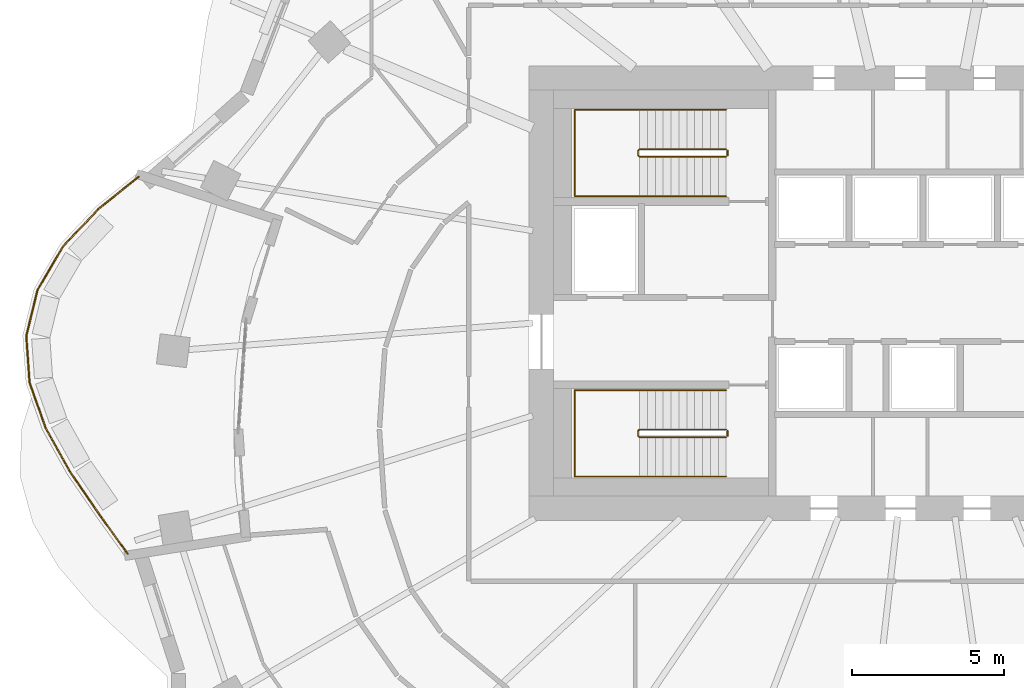
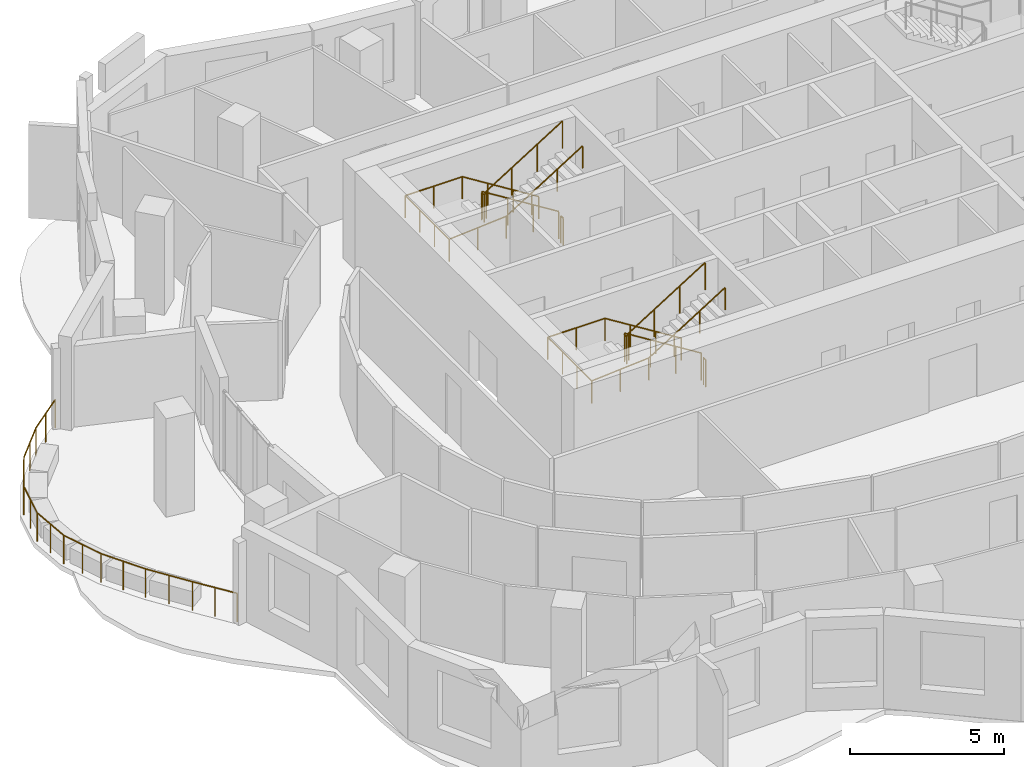
# One storey, part 12 of 13: 7 railings.
"""IFC4 building model written with IfcOpenShell, lengths in metres."""

from ifc_helpers import new_model, si_unit, direction, frame, origin, origin_2d, place, context, subcontext, project, spatial, circle, extrude, material, type_object, element, save


model = new_model("IFC4")

# Units and contexts
model_context = context("Model", 3, precision=1e-05, world=origin(), true_north=direction((0.0, 1.0)))
body_context = subcontext(model_context, "Body", "Model", "MODEL_VIEW")
ifc_project = project(units=[si_unit("LENGTHUNIT", "METRE"), si_unit("AREAUNIT", "SQUARE_METRE"), si_unit("VOLUMEUNIT", "CUBIC_METRE"), si_unit("PLANEANGLEUNIT", "RADIAN"), si_unit("MASSUNIT", "GRAM", prefix="KILO")], contexts=[model_context])

# Site, building, storey
site_placement = place(None, origin())
site = spatial("IfcSite", under=ifc_project, at=site_placement, CompositionType="ELEMENT")
building_placement = place(site_placement, origin())
building = spatial("IfcBuilding", under=site, at=building_placement, Name="Rubra Terraces Tower", CompositionType="ELEMENT")
storey_placement = place(building_placement, frame((0.0, 0.0, 209.10009765625)))
storey = spatial("IfcBuildingStorey", under=building, at=storey_placement, Name="L51", CompositionType="ELEMENT", Elevation=209.10009765625)

# Railings
ifc_material_1 = material(Name="Stainless steel", Category="steel")
railing_type_1 = type_object("IfcRailingType", Name="Core stair guard 1100", PredefinedType="GUARDRAIL", material=ifc_material_1)
railing_1_placement = place(storey_placement, frame((-6.5, 0.0, 0.162353515625)))
element("IfcRailing", 1, at=railing_1_placement, inside=storey, type_object=railing_type_1, Name="L51 stair S1 guard 1", PredefinedType="GUARDRAIL", context=body_context, shape_type="SweptSolid", body=[
    extrude(circle(Radius=0.02392578125, at=origin_2d()), frame((0.0, 0.0, 1.076171875), z_axis=(-0.847994237388, 0.0, 0.530005446535), x_axis=(0.0, -1.0, 0.0)), (0.0, 0.0, 1.0), 3.372802734375),
    extrude(circle(Radius=0.02392578125, at=origin_2d()), frame((-2.860107421875, 0.0, 2.86376953125), z_axis=(-0.705375805398, -0.708833529934, 0.0), x_axis=(0.708833529934, -0.705375805398, 0.0)), (0.0, 0.0, 1.0), 0.070556640625),
    extrude(circle(Radius=0.02392578125, at=origin_2d()), frame((-2.909912109375, -0.050048828125, 2.86376953125), z_axis=(0.0, -1.0, 0.0), x_axis=(1.0, 0.0, 0.0)), (0.0, 0.0, 1.0), 0.14990234375),
    extrude(circle(Radius=0.02392578125, at=origin_2d()), frame((-2.909912109375, -0.199951171875, 2.86376953125), z_axis=(0.281314826061, -0.282693820306, 0.917031173188), x_axis=(0.708833529934, 0.705375805398, 0.0)), (0.0, 0.0, 1.0), 0.177001953125),
    extrude(circle(Radius=0.02392578125, at=origin_2d()), frame((-2.860107421875, -0.25, 3.02587890625), z_axis=(0.847994237388, 0.0, 0.530005446535), x_axis=(0.0, 1.0, 0.0)), (0.0, 0.0, 1.0), 3.372802734375),
    extrude(circle(Radius=0.02099609375, at=origin_2d()), origin(), (0.0, 0.0, 1.0), 1.052001953125),
    extrude(circle(Radius=0.02099609375, at=origin_2d()), frame((-0.953369140625, 0.0, 0.595947265625)), (0.0, 0.0, 1.0), 1.052001953125),
    extrude(circle(Radius=0.02099609375, at=origin_2d()), frame((-1.90673828125, 0.0, 1.191650390625)), (0.0, 0.0, 1.0), 1.052001953125),
    extrude(circle(Radius=0.02099609375, at=origin_2d()), frame((-2.860107421875, 0.0, 1.78759765625)), (0.0, 0.0, 1.0), 1.052001953125),
    extrude(circle(Radius=0.02099609375, at=origin_2d()), frame((-2.909912109375, -0.050048828125, 1.78759765625)), (0.0, 0.0, 1.0), 1.052001953125),
    extrude(circle(Radius=0.02099609375, at=origin_2d()), frame((-2.909912109375, -0.199951171875, 1.78759765625)), (0.0, 0.0, 1.0), 1.052001953125),
    extrude(circle(Radius=0.02099609375, at=origin_2d()), frame((-2.860107421875, -0.25, 1.949951171875)), (0.0, 0.0, 1.0), 1.052001953125),
    extrude(circle(Radius=0.02099609375, at=origin_2d()), frame((-1.90673828125, -0.25, 2.5458984375)), (0.0, 0.0, 1.0), 1.052001953125),
    extrude(circle(Radius=0.02099609375, at=origin_2d()), frame((-0.953369140625, -0.25, 3.1416015625)), (0.0, 0.0, 1.0), 1.052001953125),
    extrude(circle(Radius=0.02099609375, at=origin_2d()), frame((0.0, -0.25, 3.737548828125)), (0.0, 0.0, 1.0), 1.052001953125),
])
railing_2_placement = place(storey_placement, frame((-6.449951171875, -0.050048828125, 0.0)))
element("IfcRailing", 2, at=railing_2_placement, inside=storey, type_object=railing_type_1, Name="L51 stair S1 guard 2", PredefinedType="GUARDRAIL", context=body_context, shape_type="SweptSolid", body=[
    extrude(circle(Radius=0.02392578125, at=origin_2d()), frame((0.0, 0.0, 1.076171875), z_axis=(0.0, -1.0, 0.0), x_axis=(1.0, 0.0, 0.0)), (0.0, 0.0, 1.0), 0.14990234375),
    extrude(circle(Radius=0.02099609375, at=origin_2d()), origin(), (0.0, 0.0, 1.0), 1.052001953125),
    extrude(circle(Radius=0.02099609375, at=origin_2d()), frame((0.0, -0.14990234375, 0.0)), (0.0, 0.0, 1.0), 1.052001953125),
])
railing_3_placement = place(storey_placement, frame((-6.5, 9.25, 0.162353515625)))
element("IfcRailing", 3, at=railing_3_placement, inside=storey, type_object=railing_type_1, Name="L51 stair S2 guard 1", PredefinedType="GUARDRAIL", context=body_context, shape_type="SweptSolid", body=[
    extrude(circle(Radius=0.02392578125, at=origin_2d()), frame((0.0, 0.0, 1.076171875), z_axis=(-0.847994237388, 0.0, 0.530005446535), x_axis=(0.0, -1.0, 0.0)), (0.0, 0.0, 1.0), 3.372802734375),
    extrude(circle(Radius=0.02392578125, at=origin_2d()), frame((-2.860107421875, 0.0, 2.86376953125), z_axis=(-0.705375805398, -0.708833529934, 0.0), x_axis=(0.708833529934, -0.705375805398, 0.0)), (0.0, 0.0, 1.0), 0.070556640625),
    extrude(circle(Radius=0.02392578125, at=origin_2d()), frame((-2.909912109375, -0.050048828125, 2.86376953125), z_axis=(0.0, -1.0, 0.0), x_axis=(1.0, 0.0, 0.0)), (0.0, 0.0, 1.0), 0.14990234375),
    extrude(circle(Radius=0.02392578125, at=origin_2d()), frame((-2.909912109375, -0.199951171875, 2.86376953125), z_axis=(0.281314826061, -0.282693820306, 0.917031173188), x_axis=(0.708833529934, 0.705375805398, 0.0)), (0.0, 0.0, 1.0), 0.177001953125),
    extrude(circle(Radius=0.02392578125, at=origin_2d()), frame((-2.860107421875, -0.25, 3.02587890625), z_axis=(0.847994237388, 0.0, 0.530005446535), x_axis=(0.0, 1.0, 0.0)), (0.0, 0.0, 1.0), 3.372802734375),
    extrude(circle(Radius=0.02099609375, at=origin_2d()), origin(), (0.0, 0.0, 1.0), 1.052001953125),
    extrude(circle(Radius=0.02099609375, at=origin_2d()), frame((-0.953369140625, 0.0, 0.595947265625)), (0.0, 0.0, 1.0), 1.052001953125),
    extrude(circle(Radius=0.02099609375, at=origin_2d()), frame((-1.90673828125, 0.0, 1.191650390625)), (0.0, 0.0, 1.0), 1.052001953125),
    extrude(circle(Radius=0.02099609375, at=origin_2d()), frame((-2.860107421875, 0.0, 1.78759765625)), (0.0, 0.0, 1.0), 1.052001953125),
    extrude(circle(Radius=0.02099609375, at=origin_2d()), frame((-2.909912109375, -0.050048828125, 1.78759765625)), (0.0, 0.0, 1.0), 1.052001953125),
    extrude(circle(Radius=0.02099609375, at=origin_2d()), frame((-2.909912109375, -0.199951171875, 1.78759765625)), (0.0, 0.0, 1.0), 1.052001953125),
    extrude(circle(Radius=0.02099609375, at=origin_2d()), frame((-2.860107421875, -0.25, 1.949951171875)), (0.0, 0.0, 1.0), 1.052001953125),
    extrude(circle(Radius=0.02099609375, at=origin_2d()), frame((-1.90673828125, -0.25, 2.5458984375)), (0.0, 0.0, 1.0), 1.052001953125),
    extrude(circle(Radius=0.02099609375, at=origin_2d()), frame((-0.953369140625, -0.25, 3.1416015625)), (0.0, 0.0, 1.0), 1.052001953125),
    extrude(circle(Radius=0.02099609375, at=origin_2d()), frame((0.0, -0.25, 3.737548828125)), (0.0, 0.0, 1.0), 1.052001953125),
])
railing_4_placement = place(storey_placement, frame((-6.449951171875, 9.199951171875, 0.0)))
element("IfcRailing", 4, at=railing_4_placement, inside=storey, type_object=railing_type_1, Name="L51 stair S2 guard 2", PredefinedType="GUARDRAIL", context=body_context, shape_type="SweptSolid", body=[
    extrude(circle(Radius=0.02392578125, at=origin_2d()), frame((0.0, 0.0, 1.076171875), z_axis=(0.0, -1.0, 0.0), x_axis=(1.0, 0.0, 0.0)), (0.0, 0.0, 1.0), 0.14990234375),
    extrude(circle(Radius=0.02099609375, at=origin_2d()), origin(), (0.0, 0.0, 1.0), 1.052001953125),
    extrude(circle(Radius=0.02099609375, at=origin_2d()), frame((0.0, -0.14990234375, 0.0)), (0.0, 0.0, 1.0), 1.052001953125),
])
railing_type_2 = type_object("IfcRailingType", Name="Core stair handrail 900", PredefinedType="HANDRAIL", material=ifc_material_1)
railing_5_placement = place(storey_placement, frame((-6.5, 1.300048828125, 0.162353515625)))
element("IfcRailing", 5, at=railing_5_placement, inside=storey, type_object=railing_type_2, Name="L51 stair S1 handrail 1", PredefinedType="HANDRAIL", context=body_context, shape_type="SweptSolid", body=[
    extrude(circle(Radius=0.02392578125, at=origin_2d()), frame((0.0, 0.0, 0.8759765625), z_axis=(-0.847994237388, 0.0, 0.530005446535), x_axis=(0.0, -1.0, 0.0)), (0.0, 0.0, 1.0), 3.372802734375),
    extrude(circle(Radius=0.02392578125, at=origin_2d()), frame((-2.860107421875, 0.0, 2.66357421875), z_axis=(-1.0, 0.0, 0.0), x_axis=(0.0, -1.0, 0.0)), (0.0, 0.0, 1.0), 2.139892578125),
    extrude(circle(Radius=0.02392578125, at=origin_2d()), frame((-5.0, 0.0, 2.66357421875), z_axis=(0.0, -1.0, 0.0), x_axis=(1.0, 0.0, 0.0)), (0.0, 0.0, 1.0), 2.85009765625),
    extrude(circle(Radius=0.02392578125, at=origin_2d()), frame((-5.0, -2.85009765625, 2.66357421875), z_axis=(0.9971342424, 0.0, 0.075652512401), x_axis=(0.0, 1.0, 0.0)), (0.0, 0.0, 1.0), 2.14599609375),
    extrude(circle(Radius=0.02392578125, at=origin_2d()), frame((-2.860107421875, -2.85009765625, 2.82568359375), z_axis=(0.847994237388, 0.0, 0.530005446535), x_axis=(0.0, 1.0, 0.0)), (0.0, 0.0, 1.0), 3.372802734375),
    extrude(circle(Radius=0.02099609375, at=origin_2d()), origin(), (0.0, 0.0, 1.0), 0.851806640625),
    extrude(circle(Radius=0.02099609375, at=origin_2d()), frame((-0.953369140625, 0.0, 0.595947265625)), (0.0, 0.0, 1.0), 0.851806640625),
    extrude(circle(Radius=0.02099609375, at=origin_2d()), frame((-1.90673828125, 0.0, 1.191650390625)), (0.0, 0.0, 1.0), 0.851806640625),
    extrude(circle(Radius=0.02099609375, at=origin_2d()), frame((-2.860107421875, 0.0, 1.78759765625)), (0.0, 0.0, 1.0), 0.851806640625),
    extrude(circle(Radius=0.02099609375, at=origin_2d()), frame((-3.93017578125, 0.0, 1.78759765625)), (0.0, 0.0, 1.0), 0.851806640625),
    extrude(circle(Radius=0.02099609375, at=origin_2d()), frame((-5.0, 0.0, 1.78759765625)), (0.0, 0.0, 1.0), 0.851806640625),
    extrude(circle(Radius=0.02099609375, at=origin_2d()), frame((-5.0, -0.949951171875, 1.78759765625)), (0.0, 0.0, 1.0), 0.851806640625),
    extrude(circle(Radius=0.02099609375, at=origin_2d()), frame((-5.0, -1.900146484375, 1.78759765625)), (0.0, 0.0, 1.0), 0.851806640625),
    extrude(circle(Radius=0.02099609375, at=origin_2d()), frame((-5.0, -2.85009765625, 1.78759765625)), (0.0, 0.0, 1.0), 0.851806640625),
    extrude(circle(Radius=0.02099609375, at=origin_2d()), frame((-3.93017578125, -2.85009765625, 1.86865234375)), (0.0, 0.0, 1.0), 0.851806640625),
    extrude(circle(Radius=0.02099609375, at=origin_2d()), frame((-2.860107421875, -2.85009765625, 1.949951171875)), (0.0, 0.0, 1.0), 0.851806640625),
    extrude(circle(Radius=0.02099609375, at=origin_2d()), frame((-1.90673828125, -2.85009765625, 2.5458984375)), (0.0, 0.0, 1.0), 0.851806640625),
    extrude(circle(Radius=0.02099609375, at=origin_2d()), frame((-0.953369140625, -2.85009765625, 3.1416015625)), (0.0, 0.0, 1.0), 0.851806640625),
    extrude(circle(Radius=0.02099609375, at=origin_2d()), frame((0.0, -2.85009765625, 3.737548828125)), (0.0, 0.0, 1.0), 0.851806640625),
])
railing_6_placement = place(storey_placement, frame((-6.5, 10.550048828125, 0.162353515625)))
element("IfcRailing", 6, at=railing_6_placement, inside=storey, type_object=railing_type_2, Name="L51 stair S2 handrail 1", PredefinedType="HANDRAIL", context=body_context, shape_type="SweptSolid", body=[
    extrude(circle(Radius=0.02392578125, at=origin_2d()), frame((0.0, 0.0, 0.8759765625), z_axis=(-0.847994237388, 0.0, 0.530005446535), x_axis=(0.0, -1.0, 0.0)), (0.0, 0.0, 1.0), 3.372802734375),
    extrude(circle(Radius=0.02392578125, at=origin_2d()), frame((-2.860107421875, 0.0, 2.66357421875), z_axis=(-1.0, 0.0, 0.0), x_axis=(0.0, -1.0, 0.0)), (0.0, 0.0, 1.0), 2.139892578125),
    extrude(circle(Radius=0.02392578125, at=origin_2d()), frame((-5.0, 0.0, 2.66357421875), z_axis=(0.0, -1.0, 0.0), x_axis=(1.0, 0.0, 0.0)), (0.0, 0.0, 1.0), 2.85009765625),
    extrude(circle(Radius=0.02392578125, at=origin_2d()), frame((-5.0, -2.85009765625, 2.66357421875), z_axis=(0.9971342424, 0.0, 0.075652512401), x_axis=(0.0, 1.0, 0.0)), (0.0, 0.0, 1.0), 2.14599609375),
    extrude(circle(Radius=0.02392578125, at=origin_2d()), frame((-2.860107421875, -2.85009765625, 2.82568359375), z_axis=(0.847994237388, 0.0, 0.530005446535), x_axis=(0.0, 1.0, 0.0)), (0.0, 0.0, 1.0), 3.372802734375),
    extrude(circle(Radius=0.02099609375, at=origin_2d()), origin(), (0.0, 0.0, 1.0), 0.851806640625),
    extrude(circle(Radius=0.02099609375, at=origin_2d()), frame((-0.953369140625, 0.0, 0.595947265625)), (0.0, 0.0, 1.0), 0.851806640625),
    extrude(circle(Radius=0.02099609375, at=origin_2d()), frame((-1.90673828125, 0.0, 1.191650390625)), (0.0, 0.0, 1.0), 0.851806640625),
    extrude(circle(Radius=0.02099609375, at=origin_2d()), frame((-2.860107421875, 0.0, 1.78759765625)), (0.0, 0.0, 1.0), 0.851806640625),
    extrude(circle(Radius=0.02099609375, at=origin_2d()), frame((-3.93017578125, 0.0, 1.78759765625)), (0.0, 0.0, 1.0), 0.851806640625),
    extrude(circle(Radius=0.02099609375, at=origin_2d()), frame((-5.0, 0.0, 1.78759765625)), (0.0, 0.0, 1.0), 0.851806640625),
    extrude(circle(Radius=0.02099609375, at=origin_2d()), frame((-5.0, -0.949951171875, 1.78759765625)), (0.0, 0.0, 1.0), 0.851806640625),
    extrude(circle(Radius=0.02099609375, at=origin_2d()), frame((-5.0, -1.900146484375, 1.78759765625)), (0.0, 0.0, 1.0), 0.851806640625),
    extrude(circle(Radius=0.02099609375, at=origin_2d()), frame((-5.0, -2.85009765625, 1.78759765625)), (0.0, 0.0, 1.0), 0.851806640625),
    extrude(circle(Radius=0.02099609375, at=origin_2d()), frame((-3.93017578125, -2.85009765625, 1.86865234375)), (0.0, 0.0, 1.0), 0.851806640625),
    extrude(circle(Radius=0.02099609375, at=origin_2d()), frame((-2.860107421875, -2.85009765625, 1.949951171875)), (0.0, 0.0, 1.0), 0.851806640625),
    extrude(circle(Radius=0.02099609375, at=origin_2d()), frame((-1.90673828125, -2.85009765625, 2.5458984375)), (0.0, 0.0, 1.0), 0.851806640625),
    extrude(circle(Radius=0.02099609375, at=origin_2d()), frame((-0.953369140625, -2.85009765625, 3.1416015625)), (0.0, 0.0, 1.0), 0.851806640625),
    extrude(circle(Radius=0.02099609375, at=origin_2d()), frame((0.0, -2.85009765625, 3.737548828125)), (0.0, 0.0, 1.0), 0.851806640625),
])
ifc_material_2 = material(Name="Steel, powder-coated dark grey", Category="steel")
railing_type_3 = type_object("IfcRailingType", Name="Terrace guard 1150", PredefinedType="GUARDRAIL", material=ifc_material_2)
railing_7_placement = place(storey_placement, frame((-25.885009765625, 8.34130859375, 0.0)))
element("IfcRailing", 7, at=railing_7_placement, inside=storey, type_object=railing_type_3, Name="Terrace guard L51", PredefinedType="GUARDRAIL", context=body_context, shape_type="SweptSolid", body=[
    extrude(circle(Radius=0.02392578125, at=origin_2d()), frame((0.0, 0.0, 1.1259765625), z_axis=(-0.7813563312, -0.624085157406, 0.0), x_axis=(0.624085157406, -0.7813563312, 0.0)), (0.0, 0.0, 1.0), 1.709228515625),
    extrude(circle(Radius=0.02392578125, at=origin_2d()), frame((-1.33544921875, -1.066650390625, 1.1259765625), z_axis=(-0.68424429345, -0.729252868956, 0.0), x_axis=(0.729252868956, -0.68424429345, 0.0)), (0.0, 0.0, 1.0), 1.714111328125),
    extrude(circle(Radius=0.02392578125, at=origin_2d()), frame((-2.50830078125, -2.316650390625, 1.1259765625), z_axis=(-0.504837512604, -0.863214391601, 0.0), x_axis=(0.863214391601, -0.504837512604, 0.0)), (0.0, 0.0, 1.0), 1.648681640625),
    extrude(circle(Radius=0.02392578125, at=origin_2d()), frame((-3.340576171875, -3.73974609375, 1.1259765625), z_axis=(-0.238101411315, -0.971240298757, 0.0), x_axis=(0.971240298757, -0.238101411315, 0.0)), (0.0, 0.0, 1.0), 1.555419921875),
    extrude(circle(Radius=0.02392578125, at=origin_2d()), frame((-3.7109375, -5.25048828125, 1.1259765625), z_axis=(0.070359353436, -0.997521709731, 0.0), x_axis=(0.997521709731, 0.070359353436, 0.0)), (0.0, 0.0, 1.0), 1.544189453125),
    extrude(circle(Radius=0.02392578125, at=origin_2d()), frame((-3.602294921875, -6.790771484375, 1.1259765625), z_axis=(0.332972542443, -0.942936522773, 0.0), x_axis=(0.942936522773, 0.332972542443, 0.0)), (0.0, 0.0, 1.0), 1.591796875),
    extrude(circle(Radius=0.02392578125, at=origin_2d()), frame((-3.072265625, -8.291748046875, 1.1259765625), z_axis=(0.487407412602, -0.873174675618, 0.0), x_axis=(0.873174675618, 0.487407412602, 0.0)), (0.0, 0.0, 1.0), 1.678955078125),
    extrude(circle(Radius=0.02392578125, at=origin_2d()), frame((-2.25390625, -9.7578125, 1.1259765625), z_axis=(0.566994199417, -0.823721784238, 0.0), x_axis=(0.823721784238, 0.566994199417, 0.0)), (0.0, 0.0, 1.0), 1.69189453125),
    extrude(circle(Radius=0.02392578125, at=origin_2d()), frame((-1.294677734375, -11.1513671875, 1.1259765625), z_axis=(0.583180829959, -0.812342365982, 0.0), x_axis=(0.812342365982, 0.583180829959, 0.0)), (0.0, 0.0, 1.0), 1.591552734375),
    extrude(circle(Radius=0.02099609375, at=origin_2d()), origin(), (0.0, 0.0, 1.0), 1.101806640625),
    extrude(circle(Radius=0.02099609375, at=origin_2d()), frame((-0.667724609375, -0.533203125, 0.0)), (0.0, 0.0, 1.0), 1.101806640625),
    extrude(circle(Radius=0.02099609375, at=origin_2d()), frame((-1.33544921875, -1.066650390625, 0.0)), (0.0, 0.0, 1.0), 1.101806640625),
    extrude(circle(Radius=0.02099609375, at=origin_2d()), frame((-1.921875, -1.691650390625, 0.0)), (0.0, 0.0, 1.0), 1.101806640625),
    extrude(circle(Radius=0.02099609375, at=origin_2d()), frame((-2.50830078125, -2.316650390625, 0.0)), (0.0, 0.0, 1.0), 1.101806640625),
    extrude(circle(Radius=0.02099609375, at=origin_2d()), frame((-2.92431640625, -3.0283203125, 0.0)), (0.0, 0.0, 1.0), 1.101806640625),
    extrude(circle(Radius=0.02099609375, at=origin_2d()), frame((-3.340576171875, -3.73974609375, 0.0)), (0.0, 0.0, 1.0), 1.101806640625),
    extrude(circle(Radius=0.02099609375, at=origin_2d()), frame((-3.52587890625, -4.4951171875, 0.0)), (0.0, 0.0, 1.0), 1.101806640625),
    extrude(circle(Radius=0.02099609375, at=origin_2d()), frame((-3.7109375, -5.25048828125, 0.0)), (0.0, 0.0, 1.0), 1.101806640625),
    extrude(circle(Radius=0.02099609375, at=origin_2d()), frame((-3.65673828125, -6.0205078125, 0.0)), (0.0, 0.0, 1.0), 1.101806640625),
    extrude(circle(Radius=0.02099609375, at=origin_2d()), frame((-3.602294921875, -6.790771484375, 0.0)), (0.0, 0.0, 1.0), 1.101806640625),
    extrude(circle(Radius=0.02099609375, at=origin_2d()), frame((-3.33740234375, -7.541259765625, 0.0)), (0.0, 0.0, 1.0), 1.101806640625),
    extrude(circle(Radius=0.02099609375, at=origin_2d()), frame((-3.072265625, -8.291748046875, 0.0)), (0.0, 0.0, 1.0), 1.101806640625),
    extrude(circle(Radius=0.02099609375, at=origin_2d()), frame((-2.6630859375, -9.02490234375, 0.0)), (0.0, 0.0, 1.0), 1.101806640625),
    extrude(circle(Radius=0.02099609375, at=origin_2d()), frame((-2.25390625, -9.7578125, 0.0)), (0.0, 0.0, 1.0), 1.101806640625),
    extrude(circle(Radius=0.02099609375, at=origin_2d()), frame((-1.7744140625, -10.45458984375, 0.0)), (0.0, 0.0, 1.0), 1.101806640625),
    extrude(circle(Radius=0.02099609375, at=origin_2d()), frame((-1.294677734375, -11.1513671875, 0.0)), (0.0, 0.0, 1.0), 1.101806640625),
    extrude(circle(Radius=0.02099609375, at=origin_2d()), frame((-0.83056640625, -11.7978515625, 0.0)), (0.0, 0.0, 1.0), 1.101806640625),
    extrude(circle(Radius=0.02099609375, at=origin_2d()), frame((-0.366455078125, -12.4443359375, 0.0)), (0.0, 0.0, 1.0), 1.101806640625),
])

save(model, "model.ifc")
